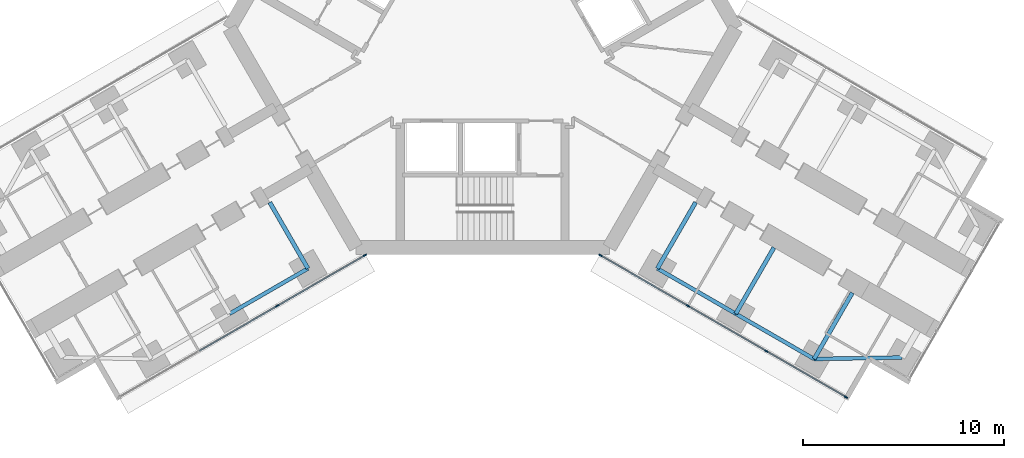
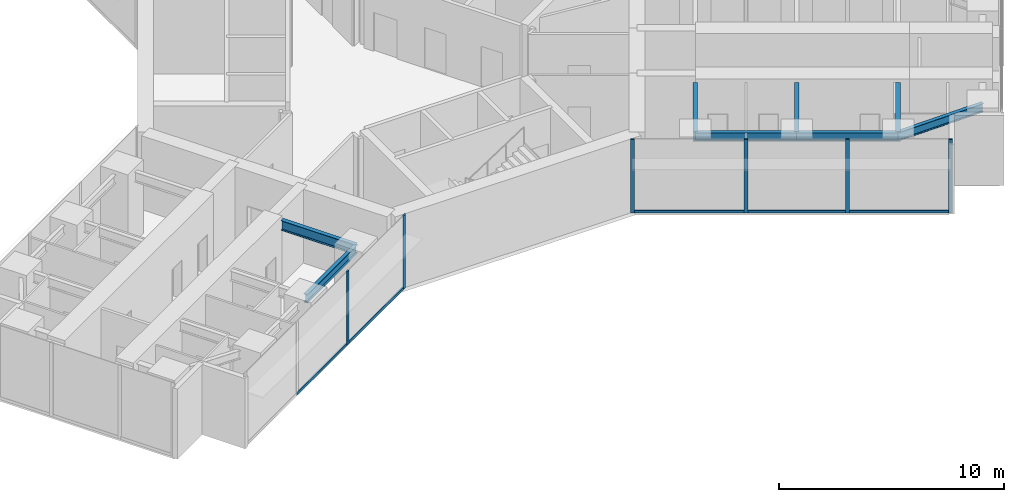
# One storey, part 9 of 25: 11 members, 8 beams, 2 elements without a shape of their own.
"""IFC4 building model written with IfcOpenShell, lengths in metres."""

from ifc_helpers import new_model, si_unit, direction, frame, origin, origin_2d, place, context, subcontext, project, spatial, rectangle, i_section, extrude, material, material_profile, profile_set, type_object, element, aggregate, save


model = new_model("IFC4")

# Units and contexts
model_context = context("Model", 3, precision=1e-05, world=origin(), true_north=direction((0.0, 1.0)))
body_context = subcontext(model_context, "Body", "Model", "MODEL_VIEW")
ifc_project = project(units=[si_unit("LENGTHUNIT", "METRE"), si_unit("AREAUNIT", "SQUARE_METRE"), si_unit("VOLUMEUNIT", "CUBIC_METRE"), si_unit("PLANEANGLEUNIT", "RADIAN"), si_unit("MASSUNIT", "GRAM", prefix="KILO")], contexts=[model_context])

# Site, building, storey
site_placement = place(None, origin())
site = spatial("IfcSite", under=ifc_project, at=site_placement, CompositionType="ELEMENT")
building_placement = place(site_placement, origin())
building = spatial("IfcBuilding", under=site, at=building_placement, Name="Upepo Twin Towers", CompositionType="ELEMENT")
storey_placement = place(building_placement, frame((0.0, 0.0, 76.5)))
storey = spatial("IfcBuildingStorey", under=building, at=storey_placement, Name="L18", CompositionType="ELEMENT", Elevation=76.5)

# Beams
ifc_material_1 = material(Name="Steel S355", Category="steel")
ifc_material_profile_1 = material_profile(ifc_material_1, i_section(OverallWidth=0.1904296875, OverallDepth=0.45703125, WebThickness=0.009033203125, FlangeThickness=0.014404296875, FilletRadius=0.01025390625, at=origin_2d()), Name="UB 457x191x74")
ifc_profile_set_1 = profile_set([ifc_material_profile_1], Name="Steel S355")
beam_type_1 = type_object("IfcBeamType", Name="Beam UB 457x191x74", PredefinedType="BEAM", material=ifc_profile_set_1)
for number, where, z_axis, x_axis, name in (
    (1, (49.80859375, -29.946044921875, 3.571533203125), (-0.866017533419, -0.500013631625, 0.0), (0.500013631625, -0.866017533419, 0.0), "T2 edge beam BL 13.5-18.0"),
    (2, (67.19140625, -29.946044921875, 3.571533203125), (0.866017533419, -0.500013631625, 0.0), (0.500013631625, 0.866017533419, 0.0), "T2 edge beam CR 13.5-18.0"),
):
    element("IfcBeam", number, at=place(storey_placement, frame(where, z_axis=z_axis, x_axis=x_axis)), inside=storey, type_object=beam_type_1, Name=name, PredefinedType="BEAM", context=body_context, shape_type="SweptSolid", body=[
        extrude(i_section(OverallWidth=0.1904296875, OverallDepth=0.45703125, WebThickness=0.009033203125, FlangeThickness=0.014404296875, FilletRadius=0.01025390625, at=origin_2d()), origin(), (0.0, 0.0, 1.0), 4.499755859375),
    ])
beam_1_placement = place(storey_placement, frame((71.08837890625, -32.196044921875, 3.571533203125), z_axis=(0.866031096941, -0.499990139034, 0.0), x_axis=(0.499990139034, 0.866031096941, 0.0)))
element("IfcBeam", 3, at=beam_1_placement, inside=storey, type_object=beam_type_1, Name="T2 edge beam CR 18.0-22.5", PredefinedType="BEAM", context=body_context, shape_type="SweptSolid", body=[
    extrude(i_section(OverallWidth=0.1904296875, OverallDepth=0.45703125, WebThickness=0.009033203125, FlangeThickness=0.014404296875, FilletRadius=0.01025390625, at=origin_2d()), origin(), (0.0, 0.0, 1.0), 4.5),
])
beam_2_placement = place(storey_placement, frame((74.985595703125, -34.446044921875, 3.571533203125), z_axis=(0.999858804832, 0.016803880528, 0.0), x_axis=(-0.016803880528, 0.999858804832, 0.0)))
element("IfcBeam", 4, at=beam_2_placement, inside=storey, type_object=beam_type_1, Name="T2 nose edge beam CR", PredefinedType="BEAM", context=body_context, shape_type="SweptSolid", body=[
    extrude(i_section(OverallWidth=0.1904296875, OverallDepth=0.45703125, WebThickness=0.009033203125, FlangeThickness=0.014404296875, FilletRadius=0.01025390625, at=origin_2d()), origin(), (0.0, 0.0, 1.0), 4.373291015625),
])
ifc_material_2 = material(Name="Steel S355", Category="steel")
ifc_material_profile_2 = material_profile(ifc_material_2, i_section(OverallWidth=0.209228515625, OverallDepth=0.533203125, WebThickness=0.010009765625, FlangeThickness=0.015625, FilletRadius=0.0126953125, at=origin_2d()), Name="UB 533x210x92")
ifc_profile_set_2 = profile_set([ifc_material_profile_2], Name="Steel S355")
beam_type_2 = type_object("IfcBeamType", Name="Beam UB 533x210x92", PredefinedType="BEAM", material=ifc_profile_set_2)
for number, where, z_axis, x_axis, name in (
    (5, (49.80859375, -29.946044921875, 3.533447265625), (-0.499994975061, 0.866028304915, 0.0), (-0.866028304915, -0.499994975061, 0.0), "T2 girder BL at 13.5"),
    (6, (67.19140625, -29.946044921875, 3.533447265625), (0.499994975061, 0.866028304915, 0.0), (-0.866028304915, 0.499994975061, 0.0), "T2 girder CR at 13.5"),
):
    element("IfcBeam", number, at=place(storey_placement, frame(where, z_axis=z_axis, x_axis=x_axis)), inside=storey, type_object=beam_type_2, Name=name, PredefinedType="BEAM", context=body_context, shape_type="SweptSolid", body=[
        extrude(i_section(OverallWidth=0.209228515625, OverallDepth=0.533203125, WebThickness=0.010009765625, FlangeThickness=0.015625, FilletRadius=0.0126953125, at=origin_2d()), origin(), (0.0, 0.0, 1.0), 3.7998046875),
    ])
beam_3_placement = place(storey_placement, frame((71.08837890625, -32.196044921875, 3.533447265625), z_axis=(0.500043160704, 0.866000483506, 0.0), x_axis=(-0.866000483506, 0.500043160704, 0.0)))
element("IfcBeam", 7, at=beam_3_placement, inside=storey, type_object=beam_type_2, Name="T2 girder CR at 18.0", PredefinedType="BEAM", context=body_context, shape_type="SweptSolid", body=[
    extrude(i_section(OverallWidth=0.209228515625, OverallDepth=0.533203125, WebThickness=0.010009765625, FlangeThickness=0.015625, FilletRadius=0.0126953125, at=origin_2d()), origin(), (0.0, 0.0, 1.0), 3.800048828125),
])
beam_4_placement = place(storey_placement, frame((74.985595703125, -34.446044921875, 3.533447265625), z_axis=(0.499994975061, 0.866028304915, 0.0), x_axis=(-0.866028304915, 0.499994975061, 0.0)))
element("IfcBeam", 8, at=beam_4_placement, inside=storey, type_object=beam_type_2, Name="T2 girder CR at 22.5", PredefinedType="BEAM", context=body_context, shape_type="SweptSolid", body=[
    extrude(i_section(OverallWidth=0.209228515625, OverallDepth=0.533203125, WebThickness=0.010009765625, FlangeThickness=0.015625, FilletRadius=0.0126953125, at=origin_2d()), origin(), (0.0, 0.0, 1.0), 3.7998046875),
])

# Curtain wall, members
ifc_material_3 = material(Name="Aluminium and fritted glass", Category="aluminium")
curtain_wall_type = type_object("IfcCurtainWallType", Name="Tower curtain wall TW1, fritted glass", PredefinedType="NOTDEFINED", material=ifc_material_3)
curtain_wall_1_placement = place(storey_placement, origin())
curtain_wall_1 = element("IfcCurtainWall", 9, at=curtain_wall_1_placement, inside=storey, type_object=curtain_wall_type, Name="T2 L18 wing B flank L curtain wall", PredefinedType="NOTDEFINED")
ifc_material_4 = material(Name="Aluminium mullion", Category="aluminium")
ifc_material_profile_3 = material_profile(ifc_material_4, rectangle(XDim=0.06494140625, YDim=0.179931640625, at=origin_2d()), Name="MULLION 65x180")
ifc_profile_set_3 = profile_set([ifc_material_profile_3], Name="Aluminium mullion")
member_type_1 = type_object("IfcMemberType", Name="Mullion 65x180 TW1", PredefinedType="MULLION", material=ifc_profile_set_3)
member_1_placement = place(storey_placement, frame((52.6416015625, -29.2919921875, 0.0), z_axis=(0.0, 0.0, 1.0), x_axis=(0.500000024426, -0.866025389682, 0.0)))
member_1 = element("IfcMember", 10, at=member_1_placement, type_object=member_type_1, Name="T2 L18 wing B flank L curtain wall mullion 1", PredefinedType="MULLION", context=body_context, shape_type="SweptSolid", body=[
    extrude(rectangle(XDim=0.06494140625, YDim=0.179931640625, at=origin_2d()), origin(), (0.0, 0.0, 1.0), 4.0),
])
member_2_placement = place(storey_placement, frame((48.28515625, -31.807373046875, 0.0), z_axis=(0.0, 0.0, 1.0), x_axis=(0.500000024426, -0.866025389682, 0.0)))
member_2 = element("IfcMember", 11, at=member_2_placement, type_object=member_type_1, Name="T2 L18 wing B flank L curtain wall mullion 2", PredefinedType="MULLION", context=body_context, shape_type="SweptSolid", body=[
    extrude(rectangle(XDim=0.06494140625, YDim=0.179931640625, at=origin_2d()), origin(), (0.0, 0.0, 1.0), 4.0),
])

curtain_wall_2_placement = place(storey_placement, origin())
curtain_wall_2 = element("IfcCurtainWall", 12, at=curtain_wall_2_placement, inside=storey, type_object=curtain_wall_type, Name="T2 L18 wing C flank R curtain wall", PredefinedType="NOTDEFINED")
member_3_placement = place(storey_placement, frame((76.567626953125, -36.341064453125, 0.0), z_axis=(0.0, 0.0, 1.0), x_axis=(-0.500000024426, -0.866025389682, 0.0)))
member_3 = element("IfcMember", 13, at=member_3_placement, type_object=member_type_1, Name="T2 L18 wing C flank R curtain wall mullion 1", PredefinedType="MULLION", context=body_context, shape_type="SweptSolid", body=[
    extrude(rectangle(XDim=0.06494140625, YDim=0.179931640625, at=origin_2d()), origin(), (0.0, 0.0, 1.0), 4.0),
])
member_4_placement = place(storey_placement, frame((72.612060546875, -34.057373046875, 0.0), z_axis=(0.0, 0.0, 1.0), x_axis=(-0.500000024426, -0.866025389682, 0.0)))
member_4 = element("IfcMember", 14, at=member_4_placement, type_object=member_type_1, Name="T2 L18 wing C flank R curtain wall mullion 2", PredefinedType="MULLION", context=body_context, shape_type="SweptSolid", body=[
    extrude(rectangle(XDim=0.06494140625, YDim=0.179931640625, at=origin_2d()), origin(), (0.0, 0.0, 1.0), 4.0),
])
member_5_placement = place(storey_placement, frame((68.71484375, -31.807373046875, 0.0), z_axis=(0.0, 0.0, 1.0), x_axis=(-0.500000024426, -0.866025389682, 0.0)))
member_5 = element("IfcMember", 15, at=member_5_placement, type_object=member_type_1, Name="T2 L18 wing C flank R curtain wall mullion 3", PredefinedType="MULLION", context=body_context, shape_type="SweptSolid", body=[
    extrude(rectangle(XDim=0.06494140625, YDim=0.179931640625, at=origin_2d()), origin(), (0.0, 0.0, 1.0), 4.0),
])
member_6_placement = place(storey_placement, frame((64.3583984375, -29.2919921875, 0.0), z_axis=(0.0, 0.0, 1.0), x_axis=(-0.500000024426, -0.866025389682, 0.0)))
member_6 = element("IfcMember", 16, at=member_6_placement, type_object=member_type_1, Name="T2 L18 wing C flank R curtain wall mullion 4", PredefinedType="MULLION", context=body_context, shape_type="SweptSolid", body=[
    extrude(rectangle(XDim=0.06494140625, YDim=0.179931640625, at=origin_2d()), origin(), (0.0, 0.0, 1.0), 4.0),
])

# Member
ifc_material_5 = material(Name="Aluminium transom", Category="aluminium")
ifc_material_profile_4 = material_profile(ifc_material_5, rectangle(XDim=0.06494140625, YDim=0.14990234375, at=origin_2d()), Name="TRANSOM 65x150")
ifc_profile_set_4 = profile_set([ifc_material_profile_4], Name="Aluminium transom")
member_type_2 = type_object("IfcMemberType", Name="Transom 65x150 TW1", PredefinedType="USERDEFINED", material=ifc_profile_set_4)
member_7_placement = place(storey_placement, frame((52.61328125, -29.308349609375, 0.074951171875), z_axis=(-0.866022642139, -0.50000478328, 0.0), x_axis=(0.50000478328, -0.866022642139, 0.0)))
member_7 = element("IfcMember", 17, at=member_7_placement, type_object=member_type_2, Name="T2 L18 wing B flank L curtain wall transom 1", ObjectType="TRANSOM", PredefinedType="USERDEFINED", context=body_context, shape_type="SweptSolid", body=[
    extrude(rectangle(XDim=0.06494140625, YDim=0.14990234375, at=origin_2d()), origin(), (0.0, 0.0, 1.0), 4.96533203125),
])

member_8_placement = place(storey_placement, frame((48.2568359375, -31.823486328125, 0.074951171875), z_axis=(-0.866022410713, -0.500005184116, 0.0), x_axis=(0.500005184116, -0.866022410713, 0.0)))
member_8 = element("IfcMember", 18, at=member_8_placement, type_object=member_type_2, Name="T2 L18 wing B flank L curtain wall transom 2", ObjectType="TRANSOM", PredefinedType="USERDEFINED", context=body_context, shape_type="SweptSolid", body=[
    extrude(rectangle(XDim=0.06494140625, YDim=0.14990234375, at=origin_2d()), origin(), (0.0, 0.0, 1.0), 4.43505859375),
])

aggregate(curtain_wall_1, [member_1, member_2, member_7, member_8])

member_9_placement = place(storey_placement, frame((76.53955078125, -36.32470703125, 0.074951171875), z_axis=(-0.866035699072, 0.499982167615, 0.0), x_axis=(-0.499982167615, -0.866035699072, 0.0)))
member_9 = element("IfcMember", 19, at=member_9_placement, type_object=member_type_2, Name="T2 L18 wing C flank R curtain wall transom 1", ObjectType="TRANSOM", PredefinedType="USERDEFINED", context=body_context, shape_type="SweptSolid", body=[
    extrude(rectangle(XDim=0.06494140625, YDim=0.14990234375, at=origin_2d()), origin(), (0.0, 0.0, 1.0), 4.502685546875),
])

member_10_placement = place(storey_placement, frame((72.583984375, -34.041015625, 0.074951171875), z_axis=(-0.866022410713, 0.500005184116, 0.0), x_axis=(-0.500005184116, -0.866022410713, 0.0)))
member_10 = element("IfcMember", 20, at=member_10_placement, type_object=member_type_2, Name="T2 L18 wing C flank R curtain wall transom 2", ObjectType="TRANSOM", PredefinedType="USERDEFINED", context=body_context, shape_type="SweptSolid", body=[
    extrude(rectangle(XDim=0.06494140625, YDim=0.14990234375, at=origin_2d()), origin(), (0.0, 0.0, 1.0), 4.43505859375),
])

member_11_placement = place(storey_placement, frame((68.686767578125, -31.791015625, 0.074951171875), z_axis=(-0.866022642139, 0.50000478328, 0.0), x_axis=(-0.50000478328, -0.866022642139, 0.0)))
member_11 = element("IfcMember", 21, at=member_11_placement, type_object=member_type_2, Name="T2 L18 wing C flank R curtain wall transom 3", ObjectType="TRANSOM", PredefinedType="USERDEFINED", context=body_context, shape_type="SweptSolid", body=[
    extrude(rectangle(XDim=0.06494140625, YDim=0.14990234375, at=origin_2d()), origin(), (0.0, 0.0, 1.0), 4.96533203125),
])

aggregate(curtain_wall_2, [member_3, member_4, member_5, member_6, member_9, member_10, member_11])

save(model, "model.ifc")
